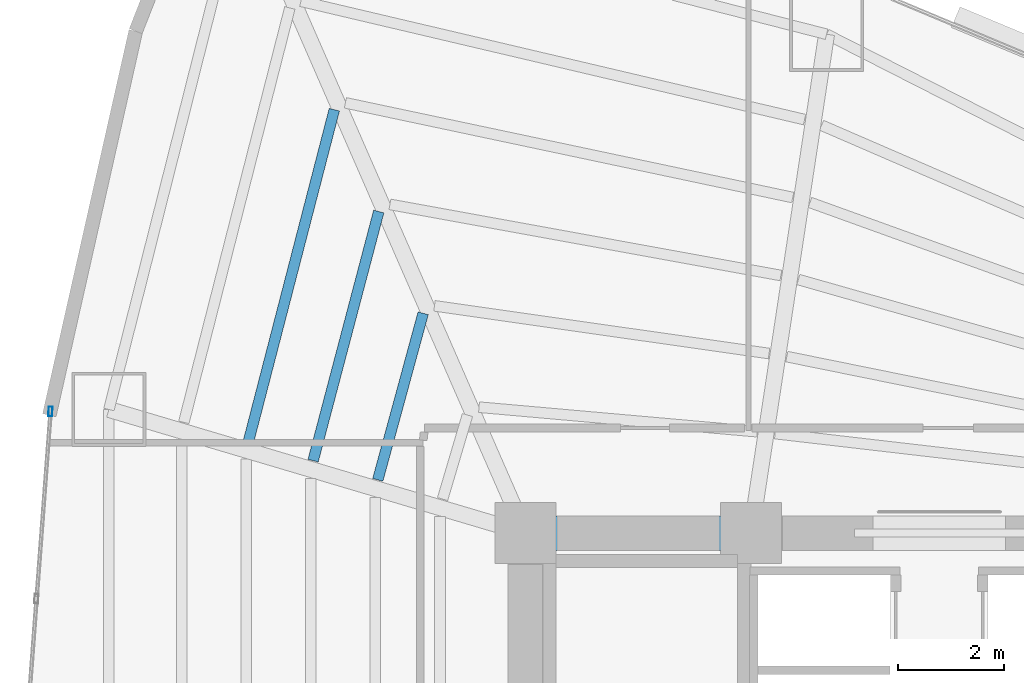
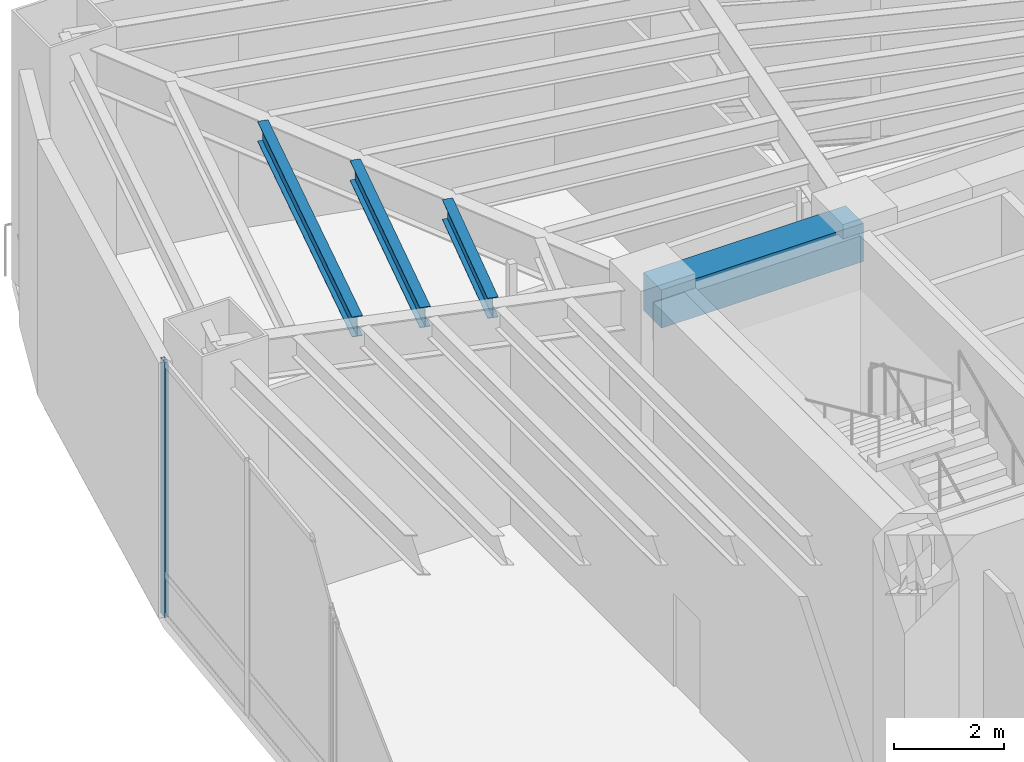
# One storey, part 8 of 19: 4 beams, 1 member, 1 element without a shape of its own.
"""IFC4 building model written with IfcOpenShell, lengths in metres."""

from ifc_helpers import new_model, si_unit, direction, frame, origin, origin_2d, place, context, subcontext, project, spatial, rectangle, hollow_rectangle, i_section, extrude, material, layer, layer_set, material_profile, profile_set, type_object, element, aggregate, save


model = new_model("IFC4")

# Units and contexts
model_context = context("Model", 3, precision=1e-05, world=origin(), true_north=direction((0.0, 1.0)))
body_context = subcontext(model_context, "Body", "Model", "MODEL_VIEW")
ifc_project = project(units=[si_unit("LENGTHUNIT", "METRE"), si_unit("AREAUNIT", "SQUARE_METRE"), si_unit("VOLUMEUNIT", "CUBIC_METRE"), si_unit("PLANEANGLEUNIT", "RADIAN"), si_unit("MASSUNIT", "GRAM", prefix="KILO")], contexts=[model_context])

# Site, building, storey
site_placement = place(None, origin())
site = spatial("IfcSite", under=ifc_project, at=site_placement, CompositionType="ELEMENT")
building_placement = place(site_placement, origin())
building = spatial("IfcBuilding", under=site, at=building_placement, Name="Menara Vayukalpa", CompositionType="ELEMENT")
storey_placement = place(building_placement, frame((0.0, 0.0, 12.0)))
storey = spatial("IfcBuildingStorey", under=building, at=storey_placement, Name="L02", CompositionType="ELEMENT", Elevation=12.0)

# Beams
ifc_material_1 = material(Name="Concrete C60/75", Category="concrete")
ifc_material_profile_1 = material_profile(ifc_material_1, rectangle(XDim=0.64990234375, YDim=0.85009765625, at=origin_2d()), Name="RC 650x850")
ifc_profile_set_1 = profile_set([ifc_material_profile_1], Name="Concrete C60/75")
beam_type_1 = type_object("IfcBeamType", Name="BM-CB1", PredefinedType="BEAM", material=ifc_profile_set_1)
beam_1_placement = place(storey_placement, frame((17.800048828125, 26.800048828125, 5.2548828125), z_axis=(1.0, 0.0, 0.0), x_axis=(0.0, 1.0, 0.0)))
element("IfcBeam", 1, at=beam_1_placement, inside=storey, type_object=beam_type_1, Name="L02 Core Tie Beam CBR4", PredefinedType="BEAM", context=body_context, shape_type="SweptSolid", body=[
    extrude(rectangle(XDim=0.64990234375, YDim=0.85009765625, at=origin_2d()), origin(), (0.0, 0.0, 1.0), 4.25),
])
ifc_material_2 = material(Name="Steel S355", Category="steel")
ifc_material_profile_2 = material_profile(ifc_material_2, i_section(OverallWidth=0.199951171875, OverallDepth=0.449951171875, WebThickness=0.009033203125, FlangeThickness=0.013916015625, at=origin_2d()), Name="WF 450x200x9x14")
ifc_profile_set_2 = profile_set([ifc_material_profile_2], Name="Steel S355")
beam_type_2 = type_object("IfcBeamType", Name="BM-SJ1", PredefinedType="JOIST", material=ifc_profile_set_2)
beam_2_placement = place(storey_placement, frame((15.873779296875, 30.941650390625, 5.455078125), z_axis=(-0.262945960317, -0.964810562729, 0.0), x_axis=(0.964810562729, -0.262945960317, 0.0)))
element("IfcBeam", 2, at=beam_2_placement, inside=storey, type_object=beam_type_2, Name="L02 Secondary Floor Joist SJ04-2", PredefinedType="JOIST", context=body_context, shape_type="SweptSolid", body=[
    extrude(i_section(OverallWidth=0.199951171875, OverallDepth=0.449951171875, WebThickness=0.009033203125, FlangeThickness=0.013916015625, at=origin_2d()), origin(), (0.0, 0.0, 1.0), 3.25341796875),
])
beam_3_placement = place(storey_placement, frame((15.036865234375, 32.859619140625, 5.455078125), z_axis=(-0.254819975699, -0.966988510782, 0.0), x_axis=(0.966988510782, -0.254819975699, 0.0)))
element("IfcBeam", 3, at=beam_3_placement, inside=storey, type_object=beam_type_2, Name="L02 Secondary Floor Joist SJ04-3", PredefinedType="JOIST", context=body_context, shape_type="SweptSolid", body=[
    extrude(i_section(OverallWidth=0.199951171875, OverallDepth=0.449951171875, WebThickness=0.009033203125, FlangeThickness=0.013916015625, at=origin_2d()), origin(), (0.0, 0.0, 1.0), 4.855712890625),
])
beam_4_placement = place(storey_placement, frame((14.19921875, 34.77783203125, 5.455078125), z_axis=(-0.250533111623, -0.968108031152, 0.0), x_axis=(0.968108031152, -0.250533111623, 0.0)))
element("IfcBeam", 4, at=beam_4_placement, inside=storey, type_object=beam_type_2, Name="L02 Secondary Floor Joist SJ04-4", PredefinedType="JOIST", context=body_context, shape_type="SweptSolid", body=[
    extrude(i_section(OverallWidth=0.199951171875, OverallDepth=0.449951171875, WebThickness=0.009033203125, FlangeThickness=0.013916015625, at=origin_2d()), origin(), (0.0, 0.0, 1.0), 6.4580078125),
])

# Curtain wall, member
ifc_material_3 = material(Name="Anodised Terracotta Aluminium Alloy 6063-T6", Category="masonry")
ifc_layer = layer(ifc_material_3, 0.179931640625)
ifc_layer_set = layer_set([ifc_layer], Name="Anodised Terracotta Aluminium Alloy 6063-T6")
curtain_wall_type = type_object("IfcCurtainWallType", Name="CW-CW1", PredefinedType="USERDEFINED", material=ifc_layer_set)
curtain_wall_placement = place(storey_placement, origin())
curtain_wall = element("IfcCurtainWall", 5, at=curtain_wall_placement, inside=storey, type_object=curtain_wall_type, Name="L02 Podium Unitised Ribbon Curtain Wall CW1 10", ObjectType="UNITISED", PredefinedType="USERDEFINED")
ifc_material_4 = material(Name="Anodised Terracotta Aluminium Alloy 6063-T6", Category="masonry")
ifc_material_profile_3 = material_profile(ifc_material_4, hollow_rectangle(XDim=0.074951171875, YDim=0.179931640625, WallThickness=0.00390625, at=origin_2d()), Name="ALU 75x180x4")
ifc_profile_set_3 = profile_set([ifc_material_profile_3], Name="Anodised Terracotta Aluminium Alloy 6063-T6")
member_type = type_object("IfcMemberType", Name="CWM-CW1", PredefinedType="MULLION", material=ifc_profile_set_3)
member_placement = place(storey_placement, frame((8.84912109375, 29.091552734375, 0.0), z_axis=(0.0, 0.0, 1.0), x_axis=(0.997198970825, -0.074794468953, 0.0)))
member = element("IfcMember", 6, at=member_placement, type_object=member_type, Name="CW1 mullion 1", PredefinedType="MULLION", context=body_context, shape_type="SweptSolid", body=[
    extrude(hollow_rectangle(XDim=0.074951171875, YDim=0.179931640625, WallThickness=0.00390625, at=origin_2d()), origin(), (0.0, 0.0, 1.0), 5.679931640625),
])
aggregate(curtain_wall, [member])

save(model, "model.ifc")
